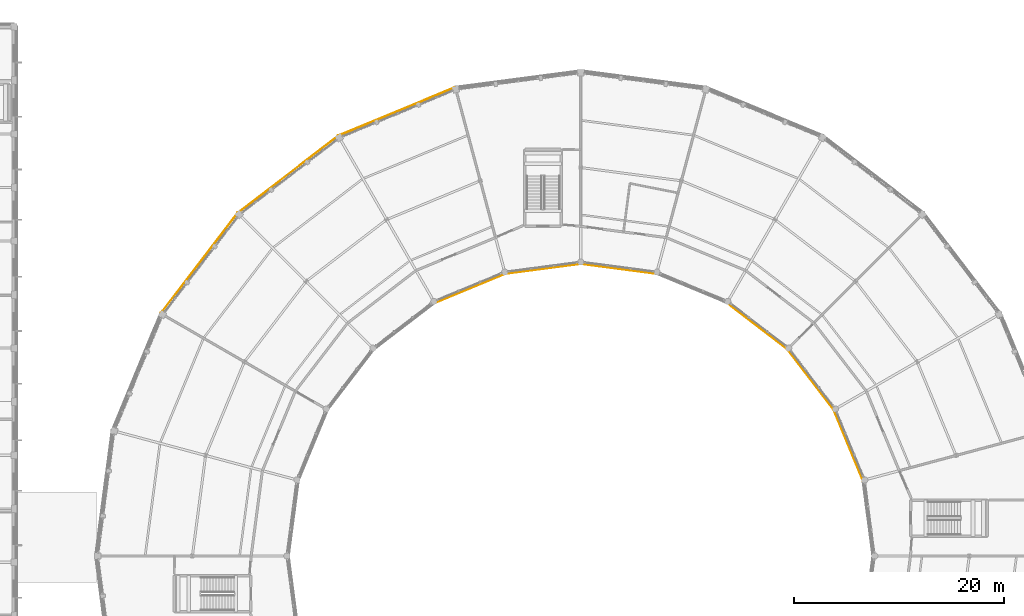
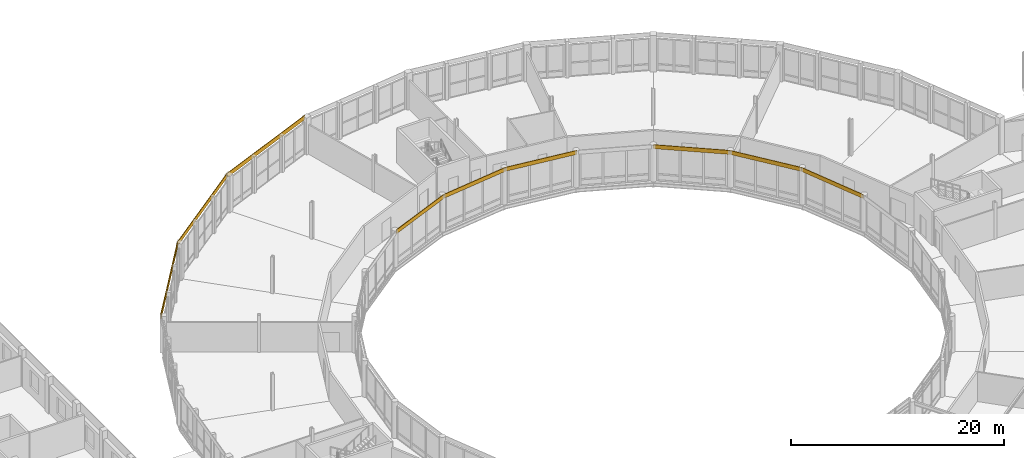
# One storey, part 163 of 170: 9 coverings.
"""IFC4 building model written with IfcOpenShell, lengths in metres."""

from ifc_helpers import new_model, si_unit, direction, frame, origin, origin_2d, place, context, subcontext, project, spatial, rectangle, extrude, material, layer, layer_set, type_object, element, save


model = new_model("IFC4")

# Units and contexts
model_context = context("Model", 3, precision=1e-05, world=origin(), true_north=direction((0.0, 1.0)))
body_context = subcontext(model_context, "Body", "Model", "MODEL_VIEW")
ifc_project = project(units=[si_unit("LENGTHUNIT", "METRE"), si_unit("AREAUNIT", "SQUARE_METRE"), si_unit("VOLUMEUNIT", "CUBIC_METRE"), si_unit("PLANEANGLEUNIT", "RADIAN"), si_unit("MASSUNIT", "GRAM", prefix="KILO")], contexts=[model_context])

# Site, building, storey
site_placement = place(None, origin())
site = spatial("IfcSite", under=ifc_project, at=site_placement, CompositionType="ELEMENT")
building_placement = place(site_placement, origin())
building = spatial("IfcBuilding", under=site, at=building_placement, Name="Vondelvale Polytechnic", CompositionType="ELEMENT")
storey_placement = place(building_placement, frame((0.0, 0.0, 5.39990234375)))
storey = spatial("IfcBuildingStorey", under=building, at=storey_placement, Name="L01", CompositionType="ELEMENT", Elevation=5.39990234375)

# Coverings
ifc_material = material(Name="Engineered Tasmanian oak studio and bridge joinery")
ifc_layer = layer(ifc_material, 0.06494140625)
ifc_layer_set = layer_set([ifc_layer], Name="COV-OAK-SPANDREL")
covering_type = type_object("IfcCoveringType", Name="COV-OAK-SPANDREL", PredefinedType="CLADDING", material=ifc_layer_set)
for number, where, z_axis, x_axis, name in (
    (1, (127.4892578125, 82.55810546875, 3.75), (0.0, 0.0, 1.0), (-0.382683432365, 0.923879532511, 0.0), "L01 exterior masonry spandrel band"),
    (2, (123.88818359375, 88.79541015625, 3.75), (0.0, 0.0, 1.0), (-0.608761429009, 0.793353340291, 0.0), "L01 exterior masonry spandrel band"),
    (3, (118.79541015625, 93.88818359375, 3.75), (0.0, 0.0, 1.0), (-0.793353340291, 0.608761429009, 0.0), "L01 exterior masonry spandrel band"),
):
    element("IfcCovering", number, at=place(storey_placement, frame(where, z_axis=z_axis, x_axis=x_axis)), inside=storey, type_object=covering_type, Name=name, PredefinedType="CLADDING", context=body_context, shape_type="SweptSolid", body=[
        extrude(rectangle(XDim=7.3095703125, YDim=0.06494140625, at=origin_2d()), origin(), (0.0, 0.0, 1.0), 0.449951171875),
    ])
for number, where, z_axis, x_axis, name in (
    (4, (105.60107421875, 99.353515625, 3.75), (0.0, 0.0, 1.0), (-0.991444861374, 0.13052619222, 0.0), "L01 exterior masonry spandrel band"),
    (5, (98.39892578125, 99.353515625, 3.75), (0.0, 0.0, 1.0), (-0.991444861374, -0.13052619222, 0.0), "L01 exterior masonry spandrel band"),
):
    element("IfcCovering", number, at=place(storey_placement, frame(where, z_axis=z_axis, x_axis=x_axis)), inside=storey, type_object=covering_type, Name=name, PredefinedType="CLADDING", context=body_context, shape_type="SweptSolid", body=[
        extrude(rectangle(XDim=7.309326171875, YDim=0.06494140625, at=origin_2d()), origin(), (0.0, 0.0, 1.0), 0.449951171875),
    ])
covering_placement = place(storey_placement, frame((91.44189453125, 97.4892578125, 3.75), z_axis=(0.0, 0.0, 1.0), x_axis=(-0.923879532511, -0.382683432365, 0.0)))
element("IfcCovering", 6, at=covering_placement, inside=storey, type_object=covering_type, Name="L01 exterior masonry spandrel band", PredefinedType="CLADDING", context=body_context, shape_type="SweptSolid", body=[
    extrude(rectangle(XDim=7.3095703125, YDim=0.06494140625, at=origin_2d()), origin(), (0.0, 0.0, 1.0), 0.449951171875),
])
for number, where, z_axis, x_axis, name in (
    (7, (84.466552734375, 114.32958984375, 3.72021484375), (0.0, 0.0, 1.0), (-0.923879532511, -0.382683432365, 0.0), "L01 exterior masonry spandrel band"),
    (8, (74.1083984375, 108.34912109375, 3.72021484375), (0.0, 0.0, 1.0), (-0.793353340291, -0.608761429009, 0.0), "L01 exterior masonry spandrel band"),
    (9, (65.65087890625, 99.8916015625, 3.72021484375), (0.0, 0.0, 1.0), (-0.608761429009, -0.793353340291, 0.0), "L01 exterior masonry spandrel band"),
):
    element("IfcCovering", number, at=place(storey_placement, frame(where, z_axis=z_axis, x_axis=x_axis)), inside=storey, type_object=covering_type, Name=name, PredefinedType="CLADDING", context=body_context, shape_type="SweptSolid", body=[
        extrude(rectangle(XDim=12.00830078125, YDim=0.06494140625, at=origin_2d()), origin(), (0.0, 0.0, 1.0), 0.47998046875),
    ])

save(model, "model.ifc")
